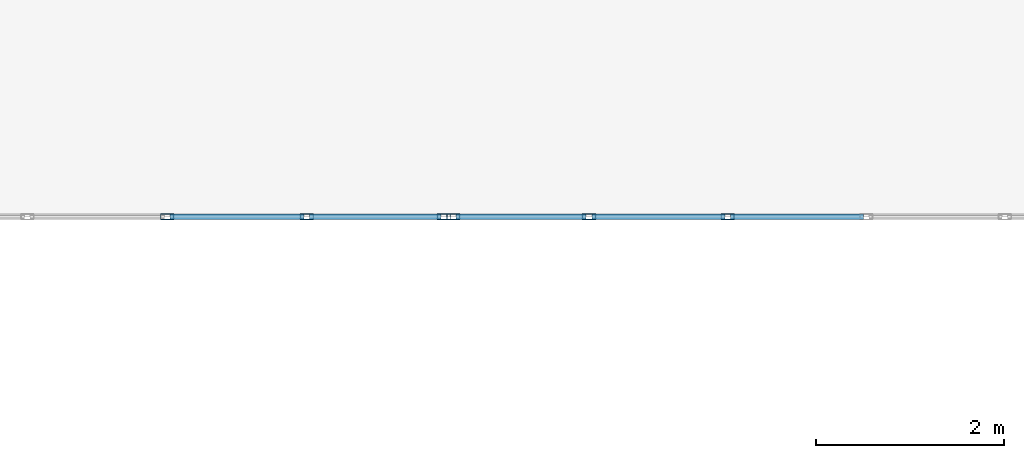
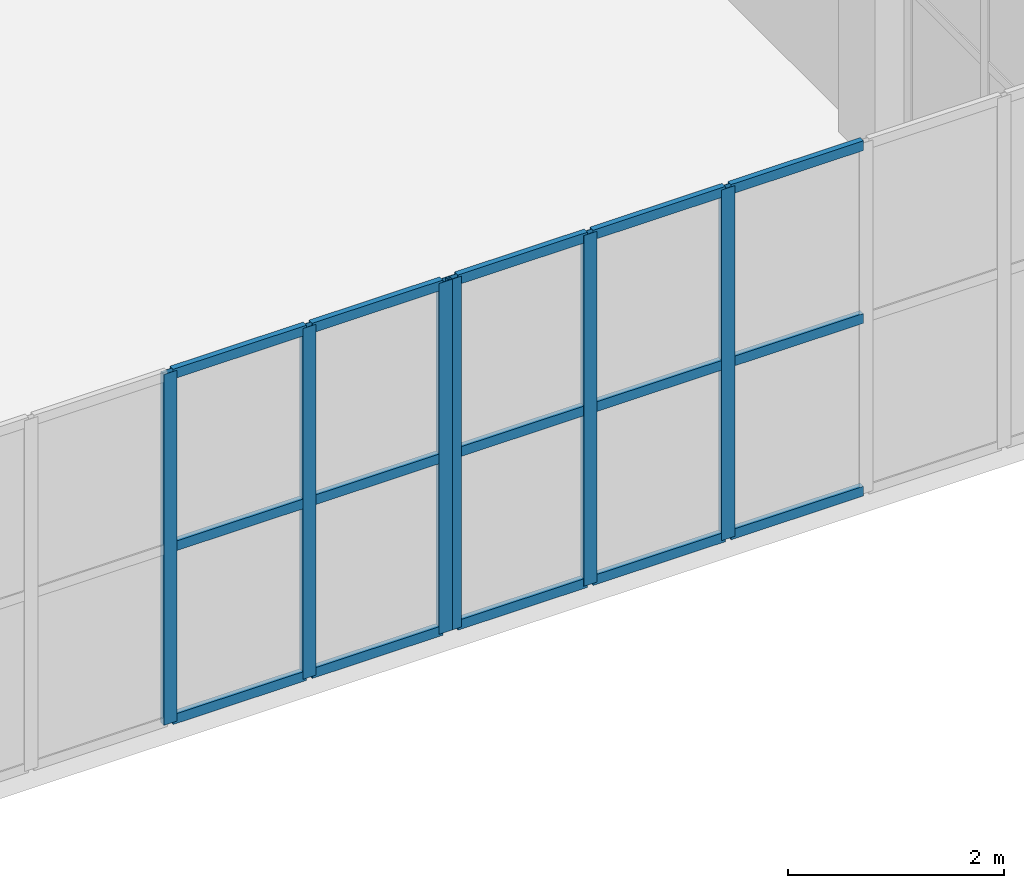
# One storey, part 32 of 140: 21 members, 2 elements without a shape of their own.
"""IFC4 building model written with IfcOpenShell, lengths in metres."""

from ifc_helpers import new_model, si_unit, direction, frame, origin, origin_2d, place, context, subcontext, project, spatial, hollow_rectangle, extrude, material, layer, layer_set, material_profile, profile_set, type_object, element, aggregate, save


model = new_model("IFC4")

# Units and contexts
model_context = context("Model", 3, precision=1e-05, world=origin(), true_north=direction((0.0, 1.0)))
body_context = subcontext(model_context, "Body", "Model", "MODEL_VIEW")
ifc_project = project(units=[si_unit("LENGTHUNIT", "METRE"), si_unit("AREAUNIT", "SQUARE_METRE"), si_unit("VOLUMEUNIT", "CUBIC_METRE"), si_unit("PLANEANGLEUNIT", "RADIAN"), si_unit("MASSUNIT", "GRAM", prefix="KILO")], contexts=[model_context])

# Site, building, storey
site_placement = place(None, origin())
site = spatial("IfcSite", under=ifc_project, at=site_placement, CompositionType="ELEMENT")
building_placement = place(site_placement, origin())
building = spatial("IfcBuilding", under=site, at=building_placement, Name="Trelvath General Hospital", CompositionType="ELEMENT")
storey_placement = place(building_placement, frame((0.0, 0.0, 16.199951171875)))
storey = spatial("IfcBuildingStorey", under=building, at=storey_placement, Name="L04", CompositionType="ELEMENT", Elevation=16.199951171875)

# Curtain wall, members
ifc_material_1 = material(Name="Anodised aluminium and low-E glass", Category="aluminium")
ifc_layer_1 = layer(ifc_material_1, 0.139892578125)
ifc_layer_set_1 = layer_set([ifc_layer_1], Name="Anodised aluminium and low-E glass")
curtain_wall_type_1 = type_object("IfcCurtainWallType", Name="CW CrystalCube 743 396 14", PredefinedType="USERDEFINED", material=ifc_layer_set_1)
curtain_wall_1_placement = place(storey_placement, origin())
curtain_wall_1 = element("IfcCurtainWall", 1, at=curtain_wall_1_placement, inside=storey, type_object=curtain_wall_type_1, Name="Crystal Cube Curtain Wall CUBE-W-T1 S2 L04", ObjectType="Unitised Glazed Curtain Wall", PredefinedType="USERDEFINED")
ifc_material_2 = material(Name="Anodised aluminium", Category="aluminium")
ifc_material_profile_1 = material_profile(ifc_material_2, hollow_rectangle(XDim=0.06005859375, YDim=0.139892578125, WallThickness=0.00390625, at=origin_2d()), Name="RHS60x140x4")
ifc_profile_set_1 = profile_set([ifc_material_profile_1], Name="Anodised aluminium")
member_type_1 = type_object("IfcMemberType", Name="CurtainMullion 60x140", PredefinedType="MULLION", material=ifc_profile_set_1)
member_1_placement = place(storey_placement, frame((68.083251953125, 37.199951171875, 0.0), z_axis=(0.0, 0.0, 1.0), x_axis=(0.0, -1.0, 0.0)))
member_1 = element("IfcMember", 2, at=member_1_placement, type_object=member_type_1, Name="CW-269 mullion 1", PredefinedType="MULLION", context=body_context, shape_type="SweptSolid", body=[
    extrude(hollow_rectangle(XDim=0.06005859375, YDim=0.139892578125, WallThickness=0.00390625, at=origin_2d()), origin(), (0.0, 0.0, 1.0), 3.9599609375),
])
member_2_placement = place(storey_placement, frame((66.6279296875, 37.199951171875, 0.0), z_axis=(0.0, 0.0, 1.0), x_axis=(0.0, -1.0, 0.0)))
member_2 = element("IfcMember", 3, at=member_2_placement, type_object=member_type_1, Name="CW-269 mullion 2", PredefinedType="MULLION", context=body_context, shape_type="SweptSolid", body=[
    extrude(hollow_rectangle(XDim=0.06005859375, YDim=0.139892578125, WallThickness=0.00390625, at=origin_2d()), origin(), (0.0, 0.0, 1.0), 3.9599609375),
])
member_3_placement = place(storey_placement, frame((65.142578125, 37.199951171875, 0.0), z_axis=(0.0, 0.0, 1.0), x_axis=(0.0, -1.0, 0.0)))
member_3 = element("IfcMember", 4, at=member_3_placement, type_object=member_type_1, Name="CW-269 mullion 3", PredefinedType="MULLION", context=body_context, shape_type="SweptSolid", body=[
    extrude(hollow_rectangle(XDim=0.06005859375, YDim=0.139892578125, WallThickness=0.00390625, at=origin_2d()), origin(), (0.0, 0.0, 1.0), 3.9599609375),
])

ifc_material_3 = material(Name="Anodised aluminium and low-E glass", Category="aluminium")
ifc_layer_2 = layer(ifc_material_3, 0.139892578125)
ifc_layer_set_2 = layer_set([ifc_layer_2], Name="Anodised aluminium and low-E glass")
curtain_wall_type_2 = type_object("IfcCurtainWallType", Name="CW CrystalCube 737 396 14", PredefinedType="USERDEFINED", material=ifc_layer_set_2)
curtain_wall_2_placement = place(storey_placement, origin())
curtain_wall_2 = element("IfcCurtainWall", 5, at=curtain_wall_2_placement, inside=storey, type_object=curtain_wall_type_2, Name="Crystal Cube Curtain Wall CUBE-W-T1 S3 L04", ObjectType="Unitised Glazed Curtain Wall", PredefinedType="USERDEFINED")
member_4_placement = place(storey_placement, frame((71.10009765625, 37.199951171875, 0.0), z_axis=(0.0, 0.0, 1.0), x_axis=(0.0, -1.0, 0.0)))
member_4 = element("IfcMember", 6, at=member_4_placement, type_object=member_type_1, Name="CW-270 mullion 4", PredefinedType="MULLION", context=body_context, shape_type="SweptSolid", body=[
    extrude(hollow_rectangle(XDim=0.06005859375, YDim=0.139892578125, WallThickness=0.00390625, at=origin_2d()), origin(), (0.0, 0.0, 1.0), 3.9599609375),
])
member_5_placement = place(storey_placement, frame((69.626708984375, 37.199951171875, 0.0), z_axis=(0.0, 0.0, 1.0), x_axis=(0.0, -1.0, 0.0)))
member_5 = element("IfcMember", 7, at=member_5_placement, type_object=member_type_1, Name="CW-270 mullion 5", PredefinedType="MULLION", context=body_context, shape_type="SweptSolid", body=[
    extrude(hollow_rectangle(XDim=0.06005859375, YDim=0.139892578125, WallThickness=0.00390625, at=origin_2d()), origin(), (0.0, 0.0, 1.0), 3.9599609375),
])
member_6_placement = place(storey_placement, frame((68.183349609375, 37.199951171875, 0.0), z_axis=(0.0, 0.0, 1.0), x_axis=(0.0, -1.0, 0.0)))
member_6 = element("IfcMember", 8, at=member_6_placement, type_object=member_type_1, Name="CW-270 mullion 6", PredefinedType="MULLION", context=body_context, shape_type="SweptSolid", body=[
    extrude(hollow_rectangle(XDim=0.06005859375, YDim=0.139892578125, WallThickness=0.00390625, at=origin_2d()), origin(), (0.0, 0.0, 1.0), 3.9599609375),
])

# Member
ifc_material_4 = material(Name="Anodised aluminium", Category="aluminium")
ifc_material_profile_2 = material_profile(ifc_material_4, hollow_rectangle(XDim=0.06005859375, YDim=0.110107421875, WallThickness=0.00390625, at=origin_2d()), Name="RHS60x110x4")
ifc_profile_set_2 = profile_set([ifc_material_profile_2], Name="Anodised aluminium")
member_type_2 = type_object("IfcMemberType", Name="CurtainTransom 60x110", PredefinedType="USERDEFINED", material=ifc_profile_set_2)
member_7_placement = place(storey_placement, frame((68.05322265625, 37.199951171875, 0.030029296875), z_axis=(-1.0, 0.0, 0.0), x_axis=(0.0, -1.0, 0.0)))
member_7 = element("IfcMember", 9, at=member_7_placement, type_object=member_type_2, Name="CW-269 transom 1.1", ObjectType="TRANSOM", PredefinedType="USERDEFINED", context=body_context, shape_type="SweptSolid", body=[
    extrude(hollow_rectangle(XDim=0.06005859375, YDim=0.110107421875, WallThickness=0.00390625, at=origin_2d()), origin(), (0.0, 0.0, 1.0), 1.395263671875),
])

member_8_placement = place(storey_placement, frame((68.05322265625, 37.199951171875, 1.97998046875), z_axis=(-1.0, 0.0, 0.0), x_axis=(0.0, -1.0, 0.0)))
member_8 = element("IfcMember", 10, at=member_8_placement, type_object=member_type_2, Name="CW-269 transom 1.2", ObjectType="TRANSOM", PredefinedType="USERDEFINED", context=body_context, shape_type="SweptSolid", body=[
    extrude(hollow_rectangle(XDim=0.06005859375, YDim=0.110107421875, WallThickness=0.00390625, at=origin_2d()), origin(), (0.0, 0.0, 1.0), 1.395263671875),
])

member_9_placement = place(storey_placement, frame((68.05322265625, 37.199951171875, 3.929931640625), z_axis=(-1.0, 0.0, 0.0), x_axis=(0.0, -1.0, 0.0)))
member_9 = element("IfcMember", 11, at=member_9_placement, type_object=member_type_2, Name="CW-269 transom 1.3", ObjectType="TRANSOM", PredefinedType="USERDEFINED", context=body_context, shape_type="SweptSolid", body=[
    extrude(hollow_rectangle(XDim=0.06005859375, YDim=0.110107421875, WallThickness=0.00390625, at=origin_2d()), origin(), (0.0, 0.0, 1.0), 1.395263671875),
])

member_10_placement = place(storey_placement, frame((66.597900390625, 37.199951171875, 0.030029296875), z_axis=(-1.0, 0.0, 0.0), x_axis=(0.0, -1.0, 0.0)))
member_10 = element("IfcMember", 12, at=member_10_placement, type_object=member_type_2, Name="CW-269 transom 2.1", ObjectType="TRANSOM", PredefinedType="USERDEFINED", context=body_context, shape_type="SweptSolid", body=[
    extrude(hollow_rectangle(XDim=0.06005859375, YDim=0.110107421875, WallThickness=0.00390625, at=origin_2d()), origin(), (0.0, 0.0, 1.0), 1.42529296875),
])

member_11_placement = place(storey_placement, frame((66.597900390625, 37.199951171875, 1.97998046875), z_axis=(-1.0, 0.0, 0.0), x_axis=(0.0, -1.0, 0.0)))
member_11 = element("IfcMember", 13, at=member_11_placement, type_object=member_type_2, Name="CW-269 transom 2.2", ObjectType="TRANSOM", PredefinedType="USERDEFINED", context=body_context, shape_type="SweptSolid", body=[
    extrude(hollow_rectangle(XDim=0.06005859375, YDim=0.110107421875, WallThickness=0.00390625, at=origin_2d()), origin(), (0.0, 0.0, 1.0), 1.42529296875),
])

member_12_placement = place(storey_placement, frame((66.597900390625, 37.199951171875, 3.929931640625), z_axis=(-1.0, 0.0, 0.0), x_axis=(0.0, -1.0, 0.0)))
member_12 = element("IfcMember", 14, at=member_12_placement, type_object=member_type_2, Name="CW-269 transom 2.3", ObjectType="TRANSOM", PredefinedType="USERDEFINED", context=body_context, shape_type="SweptSolid", body=[
    extrude(hollow_rectangle(XDim=0.06005859375, YDim=0.110107421875, WallThickness=0.00390625, at=origin_2d()), origin(), (0.0, 0.0, 1.0), 1.42529296875),
])

aggregate(curtain_wall_1, [member_1, member_2, member_3, member_7, member_8, member_9, member_10, member_11, member_12])

member_13_placement = place(storey_placement, frame((72.543212890625, 37.199951171875, 0.030029296875), z_axis=(-1.0, 0.0, 0.0), x_axis=(0.0, -1.0, 0.0)))
member_13 = element("IfcMember", 15, at=member_13_placement, type_object=member_type_2, Name="CW-270 transom 3.1", ObjectType="TRANSOM", PredefinedType="USERDEFINED", context=body_context, shape_type="SweptSolid", body=[
    extrude(hollow_rectangle(XDim=0.06005859375, YDim=0.110107421875, WallThickness=0.00390625, at=origin_2d()), origin(), (0.0, 0.0, 1.0), 1.413330078125),
])

member_14_placement = place(storey_placement, frame((72.543212890625, 37.199951171875, 1.97998046875), z_axis=(-1.0, 0.0, 0.0), x_axis=(0.0, -1.0, 0.0)))
member_14 = element("IfcMember", 16, at=member_14_placement, type_object=member_type_2, Name="CW-270 transom 3.2", ObjectType="TRANSOM", PredefinedType="USERDEFINED", context=body_context, shape_type="SweptSolid", body=[
    extrude(hollow_rectangle(XDim=0.06005859375, YDim=0.110107421875, WallThickness=0.00390625, at=origin_2d()), origin(), (0.0, 0.0, 1.0), 1.413330078125),
])

member_15_placement = place(storey_placement, frame((72.543212890625, 37.199951171875, 3.929931640625), z_axis=(-1.0, 0.0, 0.0), x_axis=(0.0, -1.0, 0.0)))
member_15 = element("IfcMember", 17, at=member_15_placement, type_object=member_type_2, Name="CW-270 transom 3.3", ObjectType="TRANSOM", PredefinedType="USERDEFINED", context=body_context, shape_type="SweptSolid", body=[
    extrude(hollow_rectangle(XDim=0.06005859375, YDim=0.110107421875, WallThickness=0.00390625, at=origin_2d()), origin(), (0.0, 0.0, 1.0), 1.413330078125),
])

member_16_placement = place(storey_placement, frame((71.070068359375, 37.199951171875, 0.030029296875), z_axis=(-1.0, 0.0, 0.0), x_axis=(0.0, -1.0, 0.0)))
member_16 = element("IfcMember", 18, at=member_16_placement, type_object=member_type_2, Name="CW-270 transom 4.1", ObjectType="TRANSOM", PredefinedType="USERDEFINED", context=body_context, shape_type="SweptSolid", body=[
    extrude(hollow_rectangle(XDim=0.06005859375, YDim=0.110107421875, WallThickness=0.00390625, at=origin_2d()), origin(), (0.0, 0.0, 1.0), 1.413330078125),
])

member_17_placement = place(storey_placement, frame((71.070068359375, 37.199951171875, 1.97998046875), z_axis=(-1.0, 0.0, 0.0), x_axis=(0.0, -1.0, 0.0)))
member_17 = element("IfcMember", 19, at=member_17_placement, type_object=member_type_2, Name="CW-270 transom 4.2", ObjectType="TRANSOM", PredefinedType="USERDEFINED", context=body_context, shape_type="SweptSolid", body=[
    extrude(hollow_rectangle(XDim=0.06005859375, YDim=0.110107421875, WallThickness=0.00390625, at=origin_2d()), origin(), (0.0, 0.0, 1.0), 1.413330078125),
])

member_18_placement = place(storey_placement, frame((71.070068359375, 37.199951171875, 3.929931640625), z_axis=(-1.0, 0.0, 0.0), x_axis=(0.0, -1.0, 0.0)))
member_18 = element("IfcMember", 20, at=member_18_placement, type_object=member_type_2, Name="CW-270 transom 4.3", ObjectType="TRANSOM", PredefinedType="USERDEFINED", context=body_context, shape_type="SweptSolid", body=[
    extrude(hollow_rectangle(XDim=0.06005859375, YDim=0.110107421875, WallThickness=0.00390625, at=origin_2d()), origin(), (0.0, 0.0, 1.0), 1.413330078125),
])

member_19_placement = place(storey_placement, frame((69.5966796875, 37.199951171875, 0.030029296875), z_axis=(-1.0, 0.0, 0.0), x_axis=(0.0, -1.0, 0.0)))
member_19 = element("IfcMember", 21, at=member_19_placement, type_object=member_type_2, Name="CW-270 transom 5.1", ObjectType="TRANSOM", PredefinedType="USERDEFINED", context=body_context, shape_type="SweptSolid", body=[
    extrude(hollow_rectangle(XDim=0.06005859375, YDim=0.110107421875, WallThickness=0.00390625, at=origin_2d()), origin(), (0.0, 0.0, 1.0), 1.38330078125),
])

member_20_placement = place(storey_placement, frame((69.5966796875, 37.199951171875, 1.97998046875), z_axis=(-1.0, 0.0, 0.0), x_axis=(0.0, -1.0, 0.0)))
member_20 = element("IfcMember", 22, at=member_20_placement, type_object=member_type_2, Name="CW-270 transom 5.2", ObjectType="TRANSOM", PredefinedType="USERDEFINED", context=body_context, shape_type="SweptSolid", body=[
    extrude(hollow_rectangle(XDim=0.06005859375, YDim=0.110107421875, WallThickness=0.00390625, at=origin_2d()), origin(), (0.0, 0.0, 1.0), 1.38330078125),
])

member_21_placement = place(storey_placement, frame((69.5966796875, 37.199951171875, 3.929931640625), z_axis=(-1.0, 0.0, 0.0), x_axis=(0.0, -1.0, 0.0)))
member_21 = element("IfcMember", 23, at=member_21_placement, type_object=member_type_2, Name="CW-270 transom 5.3", ObjectType="TRANSOM", PredefinedType="USERDEFINED", context=body_context, shape_type="SweptSolid", body=[
    extrude(hollow_rectangle(XDim=0.06005859375, YDim=0.110107421875, WallThickness=0.00390625, at=origin_2d()), origin(), (0.0, 0.0, 1.0), 1.38330078125),
])

aggregate(curtain_wall_2, [member_4, member_5, member_6, member_13, member_14, member_15, member_16, member_17, member_18, member_19, member_20, member_21])

save(model, "model.ifc")
